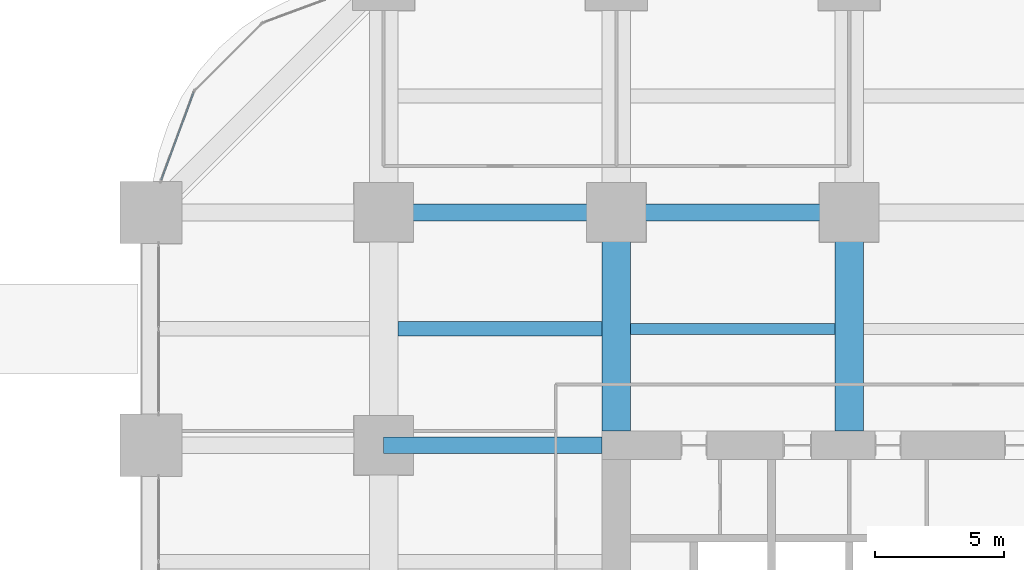
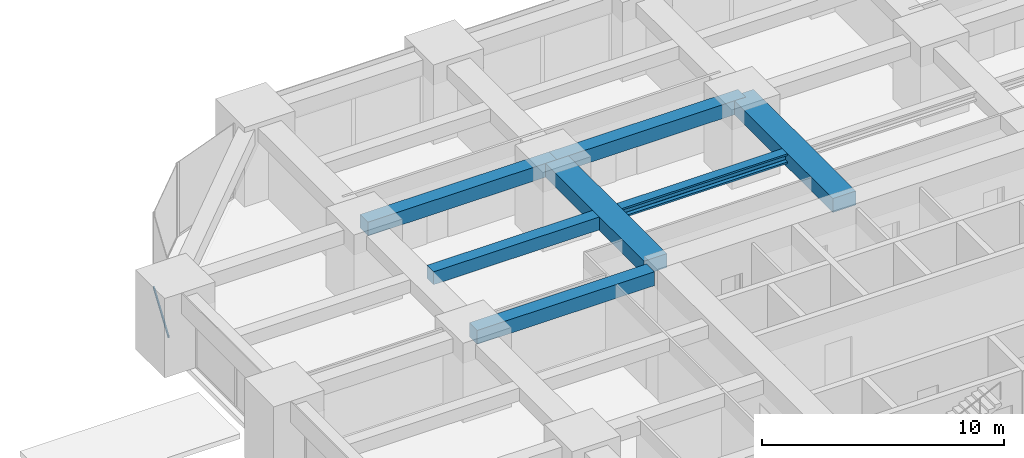
# One storey, part 17 of 39: 7 beams, 1 member, 1 element without a shape of its own.
"""IFC4 building model written with IfcOpenShell, lengths in metres."""

import ifcopenshell
import ifcopenshell.guid

model = None  # the IFC model being written
_history = None  # IfcOwnerHistory: only IFC2X3 demands one
_inside = {}  # id of a spatial element -> (the spatial element, [elements in it])
_under = {}  # id of a project, library or spatial element -> (it, [spatial elements below it])
_declared = {}  # id of a project -> (the project, [libraries it declares])
_typed = {}  # id of a type object -> (the type object, [elements of that type])
_made_of = {}  # id of a material, layer set ... -> (it, [elements and type objects made of it])


def new_model(schema):
    """Start an empty IFC model of exactly this schema.

    Asked for "IFC4X3", IfcOpenShell would pick the latest addendum, in which some entities
    have other attributes; the version numbers below select the first issue.
    IFC2X3 requires an IfcOwnerHistory on every rooted entity: one is made here for all.
    """
    global model, _history
    if schema == "IFC4X3":
        model = ifcopenshell.file(schema_version=(4, 3, 0, 0))
    else:
        model = ifcopenshell.file(schema=schema)
    _inside.clear()
    _under.clear()
    _declared.clear()
    _typed.clear()
    _made_of.clear()
    _history = None
    if model.schema == "IFC2X3":
        org = make("IfcOrganization", Name="unknown")
        user = make(
            "IfcPersonAndOrganization",
            ThePerson=make("IfcPerson", FamilyName="unknown"),
            TheOrganization=org,
        )
        app = make(
            "IfcApplication",
            ApplicationDeveloper=org,
            Version="unknown",
            ApplicationFullName="unknown",
            ApplicationIdentifier="unknown",
        )
        _history = make(
            "IfcOwnerHistory",
            OwningUser=user,
            OwningApplication=app,
            ChangeAction="ADDED",
            CreationDate=0,
        )
    return model


def make(cls, **values):
    """One entity of the class cls with the attributes given. An attribute that is None is left unset."""
    return model.create_entity(
        cls, **{name: value for name, value in values.items() if value is not None}
    )


def rooted(cls, **values):
    """An entity with a GlobalId (a new one), such as an element, a storey or a relation."""
    return make(cls, GlobalId=ifcopenshell.guid.new(), OwnerHistory=_history, **values)


def si_unit(unit_type, name, prefix=None):
    """IfcSIUnit, for example si_unit("LENGTHUNIT", "METRE", prefix="MILLI")."""
    return make("IfcSIUnit", UnitType=unit_type, Prefix=prefix, Name=name)


def assignment(units):
    """IfcUnitAssignment: the units of a project."""
    return None if units is None else make("IfcUnitAssignment", Units=units)


def point(xyz):
    """IfcCartesianPoint."""
    return None if xyz is None else make("IfcCartesianPoint", Coordinates=xyz)


def direction(xyz):
    """IfcDirection."""
    return None if xyz is None else make("IfcDirection", DirectionRatios=xyz)


def frame(location, z_axis=None, x_axis=None):
    """IfcAxis2Placement3D, a coordinate frame: its origin and axes. An axis left out is left unset."""
    return make(
        "IfcAxis2Placement3D",
        Location=point(location),
        Axis=direction(z_axis),
        RefDirection=direction(x_axis),
    )


def frame_2d(location, x_axis=None):
    """IfcAxis2Placement2D, a coordinate frame in the plane: its origin and x axis."""
    return make(
        "IfcAxis2Placement2D", Location=point(location), RefDirection=direction(x_axis)
    )


def origin():
    """The frame at (0, 0, 0) with its axes left unset."""
    return frame((0.0, 0.0, 0.0))


def origin_2d():
    """The frame at (0, 0) in the plane with its x axis left unset."""
    return frame_2d((0.0, 0.0))


def place(relative_to, where):
    """IfcLocalPlacement: puts the frame where relative to a parent placement (None: the world)."""
    return make(
        "IfcLocalPlacement", PlacementRelTo=relative_to, RelativePlacement=where
    )


def context(
    kind, dimensions, precision=None, world=None, true_north=None, identifier=None
):
    """IfcGeometricRepresentationContext, for example the 3D "Model" context."""
    return make(
        "IfcGeometricRepresentationContext",
        ContextIdentifier=identifier,
        ContextType=kind,
        CoordinateSpaceDimension=dimensions,
        Precision=precision,
        WorldCoordinateSystem=world,
        TrueNorth=true_north,
    )


def subcontext(parent, identifier, kind, view, scale=None):
    """IfcGeometricRepresentationSubContext, for example "Body" below "Model"."""
    return make(
        "IfcGeometricRepresentationSubContext",
        ContextIdentifier=identifier,
        ContextType=kind,
        ParentContext=parent,
        TargetScale=scale,
        TargetView=view,
    )


def project(units=None, contexts=None):
    """IfcProject with its units and contexts."""
    return rooted(
        "IfcProject",
        Name="project",
        RepresentationContexts=contexts,
        UnitsInContext=assignment(units),
    )


def spatial(cls, under=None, at=None, **own):
    """A site, building, storey or space (cls), placed at a placement, below another one or the project."""
    s = rooted(cls, ObjectPlacement=at, **own)
    if under is not None:
        _under.setdefault(under.id(), (under, []))[1].append(s)
    return s


def profile(cls, at=None, kind="AREA", **sizes):
    """A parametric profile (cls). Its sizes go by their IFC names, for example OverallWidth=200.0."""
    return make(cls, ProfileType=kind, Position=at, **sizes)


def rectangle(**sizes):
    """IfcRectangleProfileDef."""
    return profile("IfcRectangleProfileDef", **sizes)


def hollow_rectangle(**sizes):
    """IfcRectangleHollowProfileDef."""
    return profile("IfcRectangleHollowProfileDef", **sizes)


def i_section(**sizes):
    """IfcIShapeProfileDef."""
    return profile("IfcIShapeProfileDef", **sizes)


def extrude(swept, where, along, depth):
    """IfcExtrudedAreaSolid: the profile swept, set in the frame where, extruded along a direction by depth."""
    return make(
        "IfcExtrudedAreaSolid",
        SweptArea=swept,
        Position=where,
        ExtrudedDirection=direction(along),
        Depth=depth,
    )


def shape(context_of_items, identifier, shape_type, items):
    """IfcShapeRepresentation: the items that make up one representation, for example the "Body"."""
    return make(
        "IfcShapeRepresentation",
        ContextOfItems=context_of_items,
        RepresentationIdentifier=identifier,
        RepresentationType=shape_type,
        Items=items,
    )


def material(Name=None, Category=None):
    """IfcMaterial."""
    return make("IfcMaterial", Name=Name, Category=Category)


def material_profile(
    of_material, cross_section, Name=None, Category=None, Priority=None
):
    """IfcMaterialProfile: a cross section and its material."""
    return make(
        "IfcMaterialProfile",
        Name=Name,
        Material=of_material,
        Profile=cross_section,
        Priority=Priority,
        Category=Category,
    )


def profile_set(profiles, Name=None, composite=None):
    """IfcMaterialProfileSet."""
    return make(
        "IfcMaterialProfileSet",
        Name=Name,
        MaterialProfiles=profiles,
        CompositeProfile=composite,
    )


def made_of(thing, what):
    """Note that an element or type object is made of a material, layer set ...; save() writes the relation."""
    if what is not None:
        _made_of.setdefault(what.id(), (what, []))[1].append(thing)
    return thing


def type_object(cls, material=None, **own):
    """A type object (cls), such as IfcWallType, which elements share."""
    return made_of(rooted(cls, **own), material)


def element(
    cls,
    number,
    at=None,
    inside=None,
    cuts=None,
    type_object=None,
    material=None,
    context=None,
    identifier="Body",
    shape_type=None,
    held_by="IfcProductDefinitionShape",
    body=None,
    shapes=None,
    **own,
):
    """One element of the class cls, such as IfcWall. Its Tag is "e" and its number.

    at: its placement. inside: the storey or other place that contains it. cuts: it is an
    opening in that element (IfcRelVoidsElement). A single representation is given by context,
    identifier, shape_type and body (its items); several are given by shapes. held_by: the class
    of the entity that holds the representations. save() writes the other relations.
    """
    e = rooted(cls, Tag="e%d" % number, ObjectPlacement=at, **own)
    if body is not None:
        shapes = [shape(context, identifier, shape_type, body)]
    if shapes is not None:
        e.Representation = make(held_by, Representations=shapes)
    if inside is not None:
        _inside.setdefault(inside.id(), (inside, []))[1].append(e)
    if cuts is not None:
        rooted(
            "IfcRelVoidsElement", RelatingBuildingElement=cuts, RelatedOpeningElement=e
        )
    if type_object is not None:
        _typed.setdefault(type_object.id(), (type_object, []))[1].append(e)
    return made_of(e, material)


def aggregate(whole, parts):
    """IfcRelAggregates: a whole, such as a stair, and the parts it consists of."""
    return rooted("IfcRelAggregates", RelatingObject=whole, RelatedObjects=parts)


def save(model, path):
    """Write the relations noted so far, then the file.

    IfcRelAggregates (storeys below a building ...), IfcRelContainedInSpatialStructure (elements
    in a storey), IfcRelDefinesByType, IfcRelAssociatesMaterial and IfcRelDeclares: one each for
    every whole, place, type object, material and project.
    """
    for whole, parts in _under.values():
        aggregate(whole, parts)
    for where, things in _inside.values():
        rooted(
            "IfcRelContainedInSpatialStructure",
            RelatedElements=things,
            RelatingStructure=where,
        )
    for kind, things in _typed.values():
        rooted("IfcRelDefinesByType", RelatedObjects=things, RelatingType=kind)
    for what, things in _made_of.values():
        rooted("IfcRelAssociatesMaterial", RelatedObjects=things, RelatingMaterial=what)
    for by, libraries in _declared.values():
        rooted("IfcRelDeclares", RelatingContext=by, RelatedDefinitions=libraries)
    model.write(path)


model = new_model("IFC4")

# Units and contexts
model_context = context("Model", 3, precision=1e-05, world=origin(), true_north=direction((0.0, 1.0)))
body_context = subcontext(model_context, "Body", "Model", "MODEL_VIEW")
ifc_project = project(units=[si_unit("LENGTHUNIT", "METRE"), si_unit("AREAUNIT", "SQUARE_METRE"), si_unit("VOLUMEUNIT", "CUBIC_METRE"), si_unit("PLANEANGLEUNIT", "RADIAN"), si_unit("MASSUNIT", "GRAM", prefix="KILO")], contexts=[model_context])

# Site, building, storey
site_placement = place(None, origin())
site = spatial("IfcSite", under=ifc_project, at=site_placement, CompositionType="ELEMENT")
building_placement = place(site_placement, origin())
building = spatial("IfcBuilding", under=site, at=building_placement, Name="Zorevar Civic Tower", CompositionType="ELEMENT")
storey_placement = place(building_placement, frame((0.0, 0.0, 19.800048828125)))
storey = spatial("IfcBuildingStorey", under=building, at=storey_placement, Name="L04", CompositionType="ELEMENT", Elevation=19.800048828125)

# Beams
ifc_material_1 = material(Name="Concrete C50/60", Category="concrete")
ifc_material_profile_1 = material_profile(ifc_material_1, rectangle(XDim=1.10009765625, YDim=0.699951171875, at=origin_2d()), Name="RC 1100x700")
ifc_profile_set_1 = profile_set([ifc_material_profile_1], Name="Concrete C50/60")
beam_type_1 = type_object("IfcBeamType", Name="Beam RC 1100x700", PredefinedType="BEAM", material=ifc_profile_set_1)
for number, where, z_axis, x_axis, name in (
    (1, (18.0, 36.550048828125, 3.39990234375), (0.0, 1.0, 0.0), (-1.0, 0.0, 0.0), "Girder L05"),
    (2, (27.0, 36.550048828125, 3.39990234375), (0.0, 1.0, 0.0), (-1.0, 0.0, 0.0), "Girder L05"),
):
    element("IfcBeam", number, at=place(storey_placement, frame(where, z_axis=z_axis, x_axis=x_axis)), inside=storey, type_object=beam_type_1, Name=name, PredefinedType="BEAM", context=body_context, shape_type="SweptSolid", body=[
        extrude(rectangle(XDim=1.10009765625, YDim=0.699951171875, at=origin_2d()), origin(), (0.0, 0.0, 1.0), 8.449951171875),
    ])
ifc_material_2 = material(Name="Concrete C50/60", Category="concrete")
ifc_material_profile_2 = material_profile(ifc_material_2, rectangle(XDim=0.550048828125, YDim=0.64990234375, at=origin_2d()), Name="RC 550x650")
ifc_profile_set_2 = profile_set([ifc_material_profile_2], Name="Concrete C50/60")
beam_type_2 = type_object("IfcBeamType", Name="Beam RC 550x650", PredefinedType="BEAM", material=ifc_profile_set_2)
beam_1_placement = place(storey_placement, frame((9.550048828125, 40.5, 3.425048828125), z_axis=(1.0, 0.0, 0.0), x_axis=(0.0, 1.0, 0.0)))
element("IfcBeam", 3, at=beam_1_placement, inside=storey, type_object=beam_type_2, Name="Secondary beam L05", PredefinedType="BEAM", context=body_context, shape_type="SweptSolid", body=[
    extrude(rectangle(XDim=0.550048828125, YDim=0.64990234375, at=origin_2d()), origin(), (0.0, 0.0, 1.0), 7.89990234375),
])
ifc_material_3 = material(Name="Concrete C50/60", Category="concrete")
ifc_material_profile_3 = material_profile(ifc_material_3, rectangle(XDim=0.64990234375, YDim=0.699951171875, at=origin_2d()), Name="RC 650x700")
ifc_profile_set_3 = profile_set([ifc_material_profile_3], Name="Concrete C50/60")
beam_type_3 = type_object("IfcBeamType", Name="Beam RC 650x700", PredefinedType="BEAM", material=ifc_profile_set_3)
beam_2_placement = place(storey_placement, frame((9.0, 36.0, 3.39990234375), z_axis=(1.0, 0.0, 0.0), x_axis=(0.0, 1.0, 0.0)))
element("IfcBeam", 4, at=beam_2_placement, inside=storey, type_object=beam_type_3, Name="Girder L05", PredefinedType="BEAM", context=body_context, shape_type="SweptSolid", body=[
    extrude(rectangle(XDim=0.64990234375, YDim=0.699951171875, at=origin_2d()), origin(), (0.0, 0.0, 1.0), 8.449951171875),
])
for number, where, z_axis, x_axis, name in (
    (5, (9.0, 45.0, 3.39990234375), (1.0, 0.0, 0.0), (0.0, 1.0, 0.0), "Girder L05"),
    (6, (18.0, 45.0, 3.39990234375), (1.0, 0.0, 0.0), (0.0, 1.0, 0.0), "Girder L05"),
):
    element("IfcBeam", number, at=place(storey_placement, frame(where, z_axis=z_axis, x_axis=x_axis)), inside=storey, type_object=beam_type_3, Name=name, PredefinedType="BEAM", context=body_context, shape_type="SweptSolid", body=[
        extrude(rectangle(XDim=0.64990234375, YDim=0.699951171875, at=origin_2d()), origin(), (0.0, 0.0, 1.0), 9.0),
    ])

# Curtain wall, member
ifc_material_4 = material(Name="Dark grey solar-control glass in black aluminium frame", Category="aluminium")
curtain_wall_type = type_object("IfcCurtainWallType", Name="Curtain wall CW2 low zone", PredefinedType="NOTDEFINED", material=ifc_material_4)
curtain_wall_placement = place(storey_placement, origin())
curtain_wall = element("IfcCurtainWall", 7, at=curtain_wall_placement, inside=storey, type_object=curtain_wall_type, Name="CW2 L04", PredefinedType="NOTDEFINED")
ifc_material_5 = material(Name="Aluminium, black anodised", Category="aluminium")
ifc_material_profile_4 = material_profile(ifc_material_5, hollow_rectangle(XDim=0.06005859375, YDim=0.14990234375, WallThickness=0.00390625, at=origin_2d()), Name="AL 150x60x4")
ifc_profile_set_4 = profile_set([ifc_material_profile_4], Name="Aluminium, black anodised")
member_type = type_object("IfcMemberType", Name="CW2 transom AL 150x60x4", PredefinedType="USERDEFINED", material=ifc_profile_set_4)
member_placement = place(storey_placement, frame((1.6533203125, 49.636474609375, 0.030029296875), z_axis=(-0.346672169799, -0.93798635741, 0.0), x_axis=(0.93798635741, -0.346672169799, 0.0)))
member = element("IfcMember", 8, at=member_placement, type_object=member_type, Name="CW2 sill transom", ObjectType="TRANSOM", PredefinedType="USERDEFINED", context=body_context, shape_type="SweptSolid", body=[
    extrude(hollow_rectangle(XDim=0.06005859375, YDim=0.14990234375, WallThickness=0.00390625, at=origin_2d()), origin(), (0.0, 0.0, 1.0), 3.603515625),
])
aggregate(curtain_wall, [member])

# Beam
ifc_material_6 = material(Name="Steel S460M (HISTAR 460)", Category="steel")
ifc_material_profile_5 = material_profile(ifc_material_6, i_section(OverallWidth=0.431884765625, OverallDepth=0.498046875, WebThickness=0.0556640625, FlangeThickness=0.0888671875, FilletRadius=0.014892578125, at=origin_2d()), Name="HD 400x744")
ifc_profile_set_5 = profile_set([ifc_material_profile_5], Name="Steel S460M (HISTAR 460)")
beam_type_4 = type_object("IfcBeamType", Name="Core bay beam HD 400x744", PredefinedType="BEAM", material=ifc_profile_set_5)
beam_3_placement = place(storey_placement, frame((18.550048828125, 40.5, 3.5009765625), z_axis=(1.0, 0.0, 0.0), x_axis=(0.0, 1.0, 0.0)))
element("IfcBeam", 9, at=beam_3_placement, inside=storey, type_object=beam_type_4, Name="Secondary beam L05", PredefinedType="BEAM", context=body_context, shape_type="SweptSolid", body=[
    extrude(i_section(OverallWidth=0.431884765625, OverallDepth=0.498046875, WebThickness=0.0556640625, FlangeThickness=0.0888671875, FilletRadius=0.014892578125, at=origin_2d()), origin(), (0.0, 0.0, 1.0), 7.89990234375),
])

save(model, "model.ifc")
